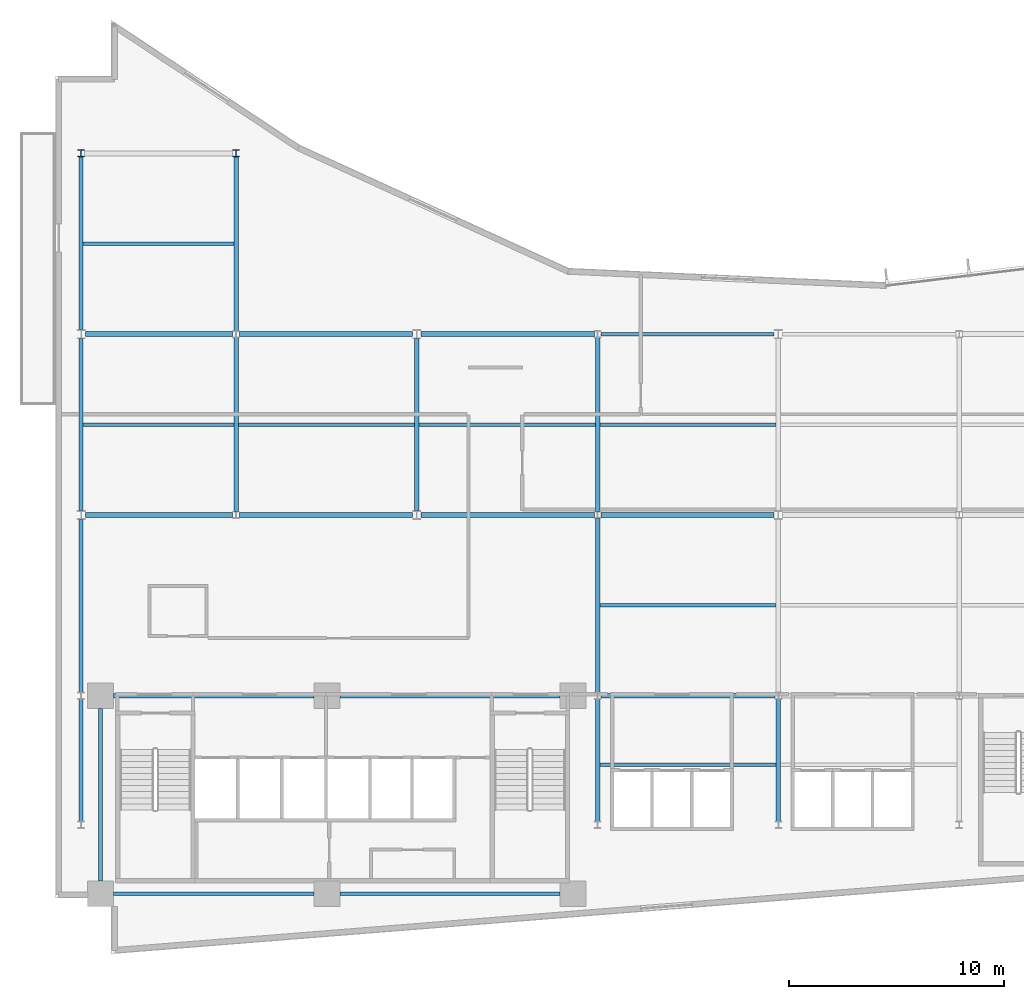
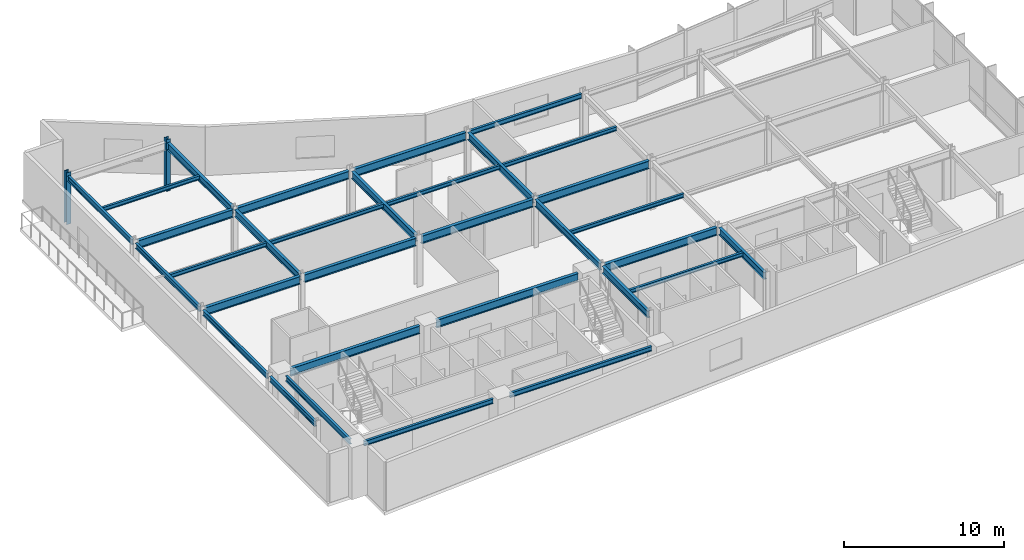
# One storey, part 3 of 17: 32 beams, 2 columns.
"""IFC4 building model written with IfcOpenShell, lengths in metres."""

from ifc_helpers import new_model, si_unit, direction, frame, origin, origin_2d, place, context, subcontext, project, spatial, i_section, extrude, material, material_profile, profile_set, type_object, element, save


model = new_model("IFC4")

# Units and contexts
model_context = context("Model", 3, precision=1e-05, world=origin(), true_north=direction((0.0, 1.0)))
body_context = subcontext(model_context, "Body", "Model", "MODEL_VIEW")
ifc_project = project(units=[si_unit("LENGTHUNIT", "METRE"), si_unit("AREAUNIT", "SQUARE_METRE"), si_unit("VOLUMEUNIT", "CUBIC_METRE"), si_unit("PLANEANGLEUNIT", "RADIAN"), si_unit("MASSUNIT", "GRAM", prefix="KILO")], contexts=[model_context])

# Site, building, storey
site_placement = place(None, origin())
site = spatial("IfcSite", under=ifc_project, at=site_placement, CompositionType="ELEMENT")
building_placement = place(site_placement, origin())
building = spatial("IfcBuilding", under=site, at=building_placement, Name="Varnakote Quay Hospital", CompositionType="ELEMENT")
storey_placement = place(building_placement, frame((0.0, 0.0, 103.35009765625)))
storey = spatial("IfcBuildingStorey", under=building, at=storey_placement, Name="L25", CompositionType="ELEMENT", Elevation=103.35009765625)

# Columns
ifc_material_1 = material(Name="Structural steel AS/NZS 3679.1 Grade 350 L0 (fy 340 MPa)", Category="steel")
ifc_material_profile_1 = material_profile(ifc_material_1, i_section(OverallWidth=0.30908203125, OverallDepth=0.321044921875, WebThickness=0.013916015625, FlangeThickness=0.021728515625, FilletRadius=0.0166015625, at=origin_2d()), Name="310UC137")
ifc_profile_set_1 = profile_set([ifc_material_profile_1], Name="Structural steel AS/NZS 3679.1 Grade 350 L0 (fy 340 MPa)")
column_type = type_object("IfcColumnType", Name="COL-STL-310UC137", PredefinedType="COLUMN", material=ifc_profile_set_1)
for number, where, z_axis, x_axis, name in (
    (1, (1.199951171875, 37.199951171875, 0.0), (0.0, 0.0, 1.0), (1.0, 0.0, 0.0), "L25 Structural Column C-1-37"),
    (2, (8.39990234375, 37.199951171875, 0.0), (0.0, 0.0, 1.0), (1.0, 0.0, 0.0), "L25 Structural Column C-8-37"),
):
    element("IfcColumn", number, at=place(storey_placement, frame(where, z_axis=z_axis, x_axis=x_axis)), inside=storey, type_object=column_type, Name=name, PredefinedType="COLUMN", context=body_context, shape_type="SweptSolid", body=[
        extrude(i_section(OverallWidth=0.30908203125, OverallDepth=0.321044921875, WebThickness=0.013916015625, FlangeThickness=0.021728515625, FilletRadius=0.0166015625, at=origin_2d()), origin(), (0.0, 0.0, 1.0), 3.949951171875),
    ])

# Beams
ifc_material_2 = material(Name="Structural steel AS/NZS 3679.1 Grade 350 L0 (fy 340 MPa)", Category="steel")
ifc_material_profile_2 = material_profile(ifc_material_2, i_section(OverallWidth=0.208984375, OverallDepth=0.532958984375, WebThickness=0.01025390625, FlangeThickness=0.015625, FilletRadius=0.013916015625, at=origin_2d()), Name="530UB92.4")
ifc_profile_set_2 = profile_set([ifc_material_profile_2], Name="Structural steel AS/NZS 3679.1 Grade 350 L0 (fy 340 MPa)")
beam_type_1 = type_object("IfcBeamType", Name="BM-STL-530UB92-4", PredefinedType="BEAM", material=ifc_profile_set_2)
beam_1_placement = place(storey_placement, frame((8.39990234375, 20.560546875, 3.443359375), z_axis=(0.0, 1.0, 0.0), x_axis=(-1.0, 0.0, 0.0)))
element("IfcBeam", 3, at=beam_1_placement, inside=storey, type_object=beam_type_1, Name="L25 Primary Tie Beam", PredefinedType="BEAM", context=body_context, shape_type="SweptSolid", body=[
    extrude(i_section(OverallWidth=0.208984375, OverallDepth=0.532958984375, WebThickness=0.01025390625, FlangeThickness=0.015625, FilletRadius=0.013916015625, at=origin_2d()), origin(), (0.0, 0.0, 1.0), 8.078857421875),
])
beam_2_placement = place(storey_placement, frame((8.39990234375, 28.96044921875, 3.443359375), z_axis=(0.0, 1.0, 0.0), x_axis=(-1.0, 0.0, 0.0)))
element("IfcBeam", 4, at=beam_2_placement, inside=storey, type_object=beam_type_1, Name="L25 Primary Tie Beam", PredefinedType="BEAM", context=body_context, shape_type="SweptSolid", body=[
    extrude(i_section(OverallWidth=0.208984375, OverallDepth=0.532958984375, WebThickness=0.01025390625, FlangeThickness=0.015625, FilletRadius=0.013916015625, at=origin_2d()), origin(), (0.0, 0.0, 1.0), 8.0791015625),
])
beam_3_placement = place(storey_placement, frame((16.800048828125, 20.610107421875, 3.443359375), z_axis=(0.0, 1.0, 0.0), x_axis=(-1.0, 0.0, 0.0)))
element("IfcBeam", 5, at=beam_3_placement, inside=storey, type_object=beam_type_1, Name="L25 Primary Tie Beam", PredefinedType="BEAM", context=body_context, shape_type="SweptSolid", body=[
    extrude(i_section(OverallWidth=0.208984375, OverallDepth=0.532958984375, WebThickness=0.01025390625, FlangeThickness=0.015625, FilletRadius=0.013916015625, at=origin_2d()), origin(), (0.0, 0.0, 1.0), 7.97998046875),
])
beam_4_placement = place(storey_placement, frame((25.199951171875, 6.160400390625, 3.443359375), z_axis=(0.0, 1.0, 0.0), x_axis=(-1.0, 0.0, 0.0)))
element("IfcBeam", 6, at=beam_4_placement, inside=storey, type_object=beam_type_1, Name="L25 Primary Tie Beam", PredefinedType="BEAM", context=body_context, shape_type="SweptSolid", body=[
    extrude(i_section(OverallWidth=0.208984375, OverallDepth=0.532958984375, WebThickness=0.01025390625, FlangeThickness=0.015625, FilletRadius=0.013916015625, at=origin_2d()), origin(), (0.0, 0.0, 1.0), 5.67919921875),
])
beam_5_placement = place(storey_placement, frame((25.199951171875, 12.160400390625, 3.443359375), z_axis=(0.0, 1.0, 0.0), x_axis=(-1.0, 0.0, 0.0)))
element("IfcBeam", 7, at=beam_5_placement, inside=storey, type_object=beam_type_1, Name="L25 Primary Tie Beam", PredefinedType="BEAM", context=body_context, shape_type="SweptSolid", body=[
    extrude(i_section(OverallWidth=0.208984375, OverallDepth=0.532958984375, WebThickness=0.01025390625, FlangeThickness=0.015625, FilletRadius=0.013916015625, at=origin_2d()), origin(), (0.0, 0.0, 1.0), 8.0791015625),
])
beam_6_placement = place(storey_placement, frame((25.199951171875, 20.560546875, 3.443359375), z_axis=(0.0, 1.0, 0.0), x_axis=(-1.0, 0.0, 0.0)))
element("IfcBeam", 8, at=beam_6_placement, inside=storey, type_object=beam_type_1, Name="L25 Primary Tie Beam", PredefinedType="BEAM", context=body_context, shape_type="SweptSolid", body=[
    extrude(i_section(OverallWidth=0.208984375, OverallDepth=0.532958984375, WebThickness=0.01025390625, FlangeThickness=0.015625, FilletRadius=0.013916015625, at=origin_2d()), origin(), (0.0, 0.0, 1.0), 8.078857421875),
])
beam_7_placement = place(storey_placement, frame((33.60009765625, 6.160400390625, 3.443359375), z_axis=(0.0, 1.0, 0.0), x_axis=(-1.0, 0.0, 0.0)))
element("IfcBeam", 9, at=beam_7_placement, inside=storey, type_object=beam_type_1, Name="L25 Primary Tie Beam", PredefinedType="BEAM", context=body_context, shape_type="SweptSolid", body=[
    extrude(i_section(OverallWidth=0.208984375, OverallDepth=0.532958984375, WebThickness=0.01025390625, FlangeThickness=0.015625, FilletRadius=0.013916015625, at=origin_2d()), origin(), (0.0, 0.0, 1.0), 5.67919921875),
])
ifc_material_3 = material(Name="Structural steel AS/NZS 3679.1 Grade 350 L0 (fy 340 MPa)", Category="steel")
ifc_material_profile_3 = material_profile(ifc_material_3, i_section(OverallWidth=0.22802734375, OverallDepth=0.60205078125, WebThickness=0.010498046875, FlangeThickness=0.014892578125, FilletRadius=0.013916015625, at=origin_2d()), Name="610UB101")
ifc_profile_set_3 = profile_set([ifc_material_profile_3], Name="Structural steel AS/NZS 3679.1 Grade 350 L0 (fy 340 MPa)")
beam_type_2 = type_object("IfcBeamType", Name="BM-STL-610UB101", PredefinedType="BEAM", material=ifc_profile_set_3)
beam_8_placement = place(storey_placement, frame((2.699951171875, 12.0, 3.408935546875), z_axis=(1.0, 0.0, 0.0), x_axis=(0.0, 1.0, 0.0)))
element("IfcBeam", 10, at=beam_8_placement, inside=storey, type_object=beam_type_2, Name="L25 Primary Floor Beam", PredefinedType="BEAM", context=body_context, shape_type="SweptSolid", body=[
    extrude(i_section(OverallWidth=0.22802734375, OverallDepth=0.60205078125, WebThickness=0.010498046875, FlangeThickness=0.014892578125, FilletRadius=0.013916015625, at=origin_2d()), origin(), (0.0, 0.0, 1.0), 9.320068359375),
])
beam_9_placement = place(storey_placement, frame((13.219970703125, 12.0, 3.408935546875), z_axis=(1.0, 0.0, 0.0), x_axis=(0.0, 1.0, 0.0)))
element("IfcBeam", 11, at=beam_9_placement, inside=storey, type_object=beam_type_2, Name="L25 Primary Floor Beam", PredefinedType="BEAM", context=body_context, shape_type="SweptSolid", body=[
    extrude(i_section(OverallWidth=0.22802734375, OverallDepth=0.60205078125, WebThickness=0.010498046875, FlangeThickness=0.014892578125, FilletRadius=0.013916015625, at=origin_2d()), origin(), (0.0, 0.0, 1.0), 10.22998046875),
])
beam_10_placement = place(storey_placement, frame((25.3544921875, 12.0, 3.408935546875), z_axis=(1.0, 0.0, 0.0), x_axis=(0.0, 1.0, 0.0)))
element("IfcBeam", 12, at=beam_10_placement, inside=storey, type_object=beam_type_2, Name="L25 Primary Floor Beam", PredefinedType="BEAM", context=body_context, shape_type="SweptSolid", body=[
    extrude(i_section(OverallWidth=0.22802734375, OverallDepth=0.60205078125, WebThickness=0.010498046875, FlangeThickness=0.014892578125, FilletRadius=0.013916015625, at=origin_2d()), origin(), (0.0, 0.0, 1.0), 8.091064453125),
])
beam_11_placement = place(storey_placement, frame((1.39990234375, 20.39990234375, 3.408935546875), z_axis=(1.0, 0.0, 0.0), x_axis=(0.0, 1.0, 0.0)))
element("IfcBeam", 13, at=beam_11_placement, inside=storey, type_object=beam_type_2, Name="L25 Primary Floor Beam", PredefinedType="BEAM", context=body_context, shape_type="SweptSolid", body=[
    extrude(i_section(OverallWidth=0.22802734375, OverallDepth=0.60205078125, WebThickness=0.010498046875, FlangeThickness=0.014892578125, FilletRadius=0.013916015625, at=origin_2d()), origin(), (0.0, 0.0, 1.0), 6.845703125),
])
beam_12_placement = place(storey_placement, frame((8.554443359375, 20.39990234375, 3.408935546875), z_axis=(1.0, 0.0, 0.0), x_axis=(0.0, 1.0, 0.0)))
element("IfcBeam", 14, at=beam_12_placement, inside=storey, type_object=beam_type_2, Name="L25 Primary Floor Beam", PredefinedType="BEAM", context=body_context, shape_type="SweptSolid", body=[
    extrude(i_section(OverallWidth=0.22802734375, OverallDepth=0.60205078125, WebThickness=0.010498046875, FlangeThickness=0.014892578125, FilletRadius=0.013916015625, at=origin_2d()), origin(), (0.0, 0.0, 1.0), 8.045654296875),
])
for number, where, z_axis, x_axis, name in (
    (15, (17.0, 20.39990234375, 3.408935546875), (1.0, 0.0, 0.0), (0.0, 1.0, 0.0), "L25 Primary Floor Beam"),
    (16, (25.3544921875, 20.39990234375, 3.408935546875), (1.0, 0.0, 0.0), (0.0, 1.0, 0.0), "L25 Primary Floor Beam"),
):
    element("IfcBeam", number, at=place(storey_placement, frame(where, z_axis=z_axis, x_axis=x_axis)), inside=storey, type_object=beam_type_2, Name=name, PredefinedType="BEAM", context=body_context, shape_type="SweptSolid", body=[
        extrude(i_section(OverallWidth=0.22802734375, OverallDepth=0.60205078125, WebThickness=0.010498046875, FlangeThickness=0.014892578125, FilletRadius=0.013916015625, at=origin_2d()), origin(), (0.0, 0.0, 1.0), 8.04541015625),
    ])
beam_13_placement = place(storey_placement, frame((1.39990234375, 28.800048828125, 3.408935546875), z_axis=(1.0, 0.0, 0.0), x_axis=(0.0, 1.0, 0.0)))
element("IfcBeam", 17, at=beam_13_placement, inside=storey, type_object=beam_type_2, Name="L25 Primary Floor Beam", PredefinedType="BEAM", context=body_context, shape_type="SweptSolid", body=[
    extrude(i_section(OverallWidth=0.22802734375, OverallDepth=0.60205078125, WebThickness=0.010498046875, FlangeThickness=0.014892578125, FilletRadius=0.013916015625, at=origin_2d()), origin(), (0.0, 0.0, 1.0), 6.845703125),
])
beam_14_placement = place(storey_placement, frame((8.554443359375, 28.800048828125, 3.408935546875), z_axis=(1.0, 0.0, 0.0), x_axis=(0.0, 1.0, 0.0)))
element("IfcBeam", 18, at=beam_14_placement, inside=storey, type_object=beam_type_2, Name="L25 Primary Floor Beam", PredefinedType="BEAM", context=body_context, shape_type="SweptSolid", body=[
    extrude(i_section(OverallWidth=0.22802734375, OverallDepth=0.60205078125, WebThickness=0.010498046875, FlangeThickness=0.014892578125, FilletRadius=0.013916015625, at=origin_2d()), origin(), (0.0, 0.0, 1.0), 8.045654296875),
])
beam_15_placement = place(storey_placement, frame((17.0, 28.800048828125, 3.408935546875), z_axis=(1.0, 0.0, 0.0), x_axis=(0.0, 1.0, 0.0)))
element("IfcBeam", 19, at=beam_15_placement, inside=storey, type_object=beam_type_2, Name="L25 Primary Floor Beam", PredefinedType="BEAM", context=body_context, shape_type="SweptSolid", body=[
    extrude(i_section(OverallWidth=0.22802734375, OverallDepth=0.60205078125, WebThickness=0.010498046875, FlangeThickness=0.014892578125, FilletRadius=0.013916015625, at=origin_2d()), origin(), (0.0, 0.0, 1.0), 8.04541015625),
])
ifc_material_4 = material(Name="Structural steel AS/NZS 3679.1 Grade 350 L0 (fy 340 MPa)", Category="steel")
ifc_material_profile_4 = material_profile(ifc_material_4, i_section(OverallWidth=0.1650390625, OverallDepth=0.303955078125, WebThickness=0.006103515625, FlangeThickness=0.01025390625, FilletRadius=0.011474609375, at=origin_2d()), Name="310UB40.4")
ifc_profile_set_4 = profile_set([ifc_material_profile_4], Name="Structural steel AS/NZS 3679.1 Grade 350 L0 (fy 340 MPa)")
beam_type_3 = type_object("IfcBeamType", Name="JST-STL-310UB40-4", PredefinedType="JOIST", material=ifc_profile_set_4)
for number, where, z_axis, x_axis, name in (
    (20, (25.304443359375, 8.800048828125, 3.557861328125), (1.0, 0.0, 0.0), (0.0, 1.0, 0.0), "L25 Composite Floor Joist"),
    (21, (25.304443359375, 16.199951171875, 3.557861328125), (1.0, 0.0, 0.0), (0.0, 1.0, 0.0), "L25 Composite Floor Joist"),
):
    element("IfcBeam", number, at=place(storey_placement, frame(where, z_axis=z_axis, x_axis=x_axis)), inside=storey, type_object=beam_type_3, Name=name, PredefinedType="JOIST", context=body_context, shape_type="SweptSolid", body=[
        extrude(i_section(OverallWidth=0.1650390625, OverallDepth=0.303955078125, WebThickness=0.006103515625, FlangeThickness=0.01025390625, FilletRadius=0.011474609375, at=origin_2d()), origin(), (0.0, 0.0, 1.0), 8.191162109375),
    ])
beam_16_placement = place(storey_placement, frame((1.2890625, 24.60009765625, 3.557861328125), z_axis=(1.0, 0.0, 0.0), x_axis=(0.0, 1.0, 0.0)))
element("IfcBeam", 22, at=beam_16_placement, inside=storey, type_object=beam_type_3, Name="L25 Composite Floor Joist", PredefinedType="JOIST", context=body_context, shape_type="SweptSolid", body=[
    extrude(i_section(OverallWidth=0.1650390625, OverallDepth=0.303955078125, WebThickness=0.006103515625, FlangeThickness=0.01025390625, FilletRadius=0.011474609375, at=origin_2d()), origin(), (0.0, 0.0, 1.0), 7.00634765625),
])
beam_17_placement = place(storey_placement, frame((8.50439453125, 24.60009765625, 3.557861328125), z_axis=(1.0, 0.0, 0.0), x_axis=(0.0, 1.0, 0.0)))
element("IfcBeam", 23, at=beam_17_placement, inside=storey, type_object=beam_type_3, Name="L25 Composite Floor Joist", PredefinedType="JOIST", context=body_context, shape_type="SweptSolid", body=[
    extrude(i_section(OverallWidth=0.1650390625, OverallDepth=0.303955078125, WebThickness=0.006103515625, FlangeThickness=0.01025390625, FilletRadius=0.011474609375, at=origin_2d()), origin(), (0.0, 0.0, 1.0), 8.191162109375),
])
beam_18_placement = place(storey_placement, frame((16.904541015625, 24.60009765625, 3.557861328125), z_axis=(1.0, 0.0, 0.0), x_axis=(0.0, 1.0, 0.0)))
element("IfcBeam", 24, at=beam_18_placement, inside=storey, type_object=beam_type_3, Name="L25 Composite Floor Joist", PredefinedType="JOIST", context=body_context, shape_type="SweptSolid", body=[
    extrude(i_section(OverallWidth=0.1650390625, OverallDepth=0.303955078125, WebThickness=0.006103515625, FlangeThickness=0.01025390625, FilletRadius=0.011474609375, at=origin_2d()), origin(), (0.0, 0.0, 1.0), 8.19091796875),
])
beam_19_placement = place(storey_placement, frame((25.304443359375, 24.60009765625, 3.557861328125), z_axis=(1.0, 0.0, 0.0), x_axis=(0.0, 1.0, 0.0)))
element("IfcBeam", 25, at=beam_19_placement, inside=storey, type_object=beam_type_3, Name="L25 Composite Floor Joist", PredefinedType="JOIST", context=body_context, shape_type="SweptSolid", body=[
    extrude(i_section(OverallWidth=0.1650390625, OverallDepth=0.303955078125, WebThickness=0.006103515625, FlangeThickness=0.01025390625, FilletRadius=0.011474609375, at=origin_2d()), origin(), (0.0, 0.0, 1.0), 8.191162109375),
])
beam_20_placement = place(storey_placement, frame((1.2890625, 33.0, 3.557861328125), z_axis=(1.0, 0.0, 0.0), x_axis=(0.0, 1.0, 0.0)))
element("IfcBeam", 26, at=beam_20_placement, inside=storey, type_object=beam_type_3, Name="L25 Composite Floor Joist", PredefinedType="JOIST", context=body_context, shape_type="SweptSolid", body=[
    extrude(i_section(OverallWidth=0.1650390625, OverallDepth=0.303955078125, WebThickness=0.006103515625, FlangeThickness=0.01025390625, FilletRadius=0.011474609375, at=origin_2d()), origin(), (0.0, 0.0, 1.0), 7.00634765625),
])
ifc_material_5 = material(Name="Structural steel AS/NZS 3679.1 Grade 350 L0 (fy 340 MPa)", Category="steel")
ifc_material_profile_5 = material_profile(ifc_material_5, i_section(OverallWidth=0.172119140625, OverallDepth=0.35888671875, WebThickness=0.008056640625, FlangeThickness=0.012939453125, FilletRadius=0.011474609375, at=origin_2d()), Name="360UB56.7")
ifc_profile_set_5 = profile_set([ifc_material_profile_5], Name="Structural steel AS/NZS 3679.1 Grade 350 L0 (fy 340 MPa)")
beam_type_4 = type_object("IfcBeamType", Name="SPN-STL-360UB56-7", PredefinedType="SPANDREL", material=ifc_profile_set_5)
beam_21_placement = place(storey_placement, frame((2.699951171875, 2.800048828125, 3.530517578125), z_axis=(1.0, 0.0, 0.0), x_axis=(0.0, 1.0, 0.0)))
element("IfcBeam", 27, at=beam_21_placement, inside=storey, type_object=beam_type_4, Name="L25 Perimeter Spandrel Beam", PredefinedType="SPANDREL", context=body_context, shape_type="SweptSolid", body=[
    extrude(i_section(OverallWidth=0.172119140625, OverallDepth=0.35888671875, WebThickness=0.008056640625, FlangeThickness=0.012939453125, FilletRadius=0.011474609375, at=origin_2d()), origin(), (0.0, 0.0, 1.0), 9.320068359375),
])
beam_22_placement = place(storey_placement, frame((13.219970703125, 2.800048828125, 3.530517578125), z_axis=(1.0, 0.0, 0.0), x_axis=(0.0, 1.0, 0.0)))
element("IfcBeam", 28, at=beam_22_placement, inside=storey, type_object=beam_type_4, Name="L25 Perimeter Spandrel Beam", PredefinedType="SPANDREL", context=body_context, shape_type="SweptSolid", body=[
    extrude(i_section(OverallWidth=0.172119140625, OverallDepth=0.35888671875, WebThickness=0.008056640625, FlangeThickness=0.012939453125, FilletRadius=0.011474609375, at=origin_2d()), origin(), (0.0, 0.0, 1.0), 10.22998046875),
])
beam_23_placement = place(storey_placement, frame((25.3544921875, 28.800048828125, 3.530517578125), z_axis=(1.0, 0.0, 0.0), x_axis=(0.0, 1.0, 0.0)))
element("IfcBeam", 29, at=beam_23_placement, inside=storey, type_object=beam_type_4, Name="L25 Perimeter Spandrel Beam", PredefinedType="SPANDREL", context=body_context, shape_type="SweptSolid", body=[
    extrude(i_section(OverallWidth=0.172119140625, OverallDepth=0.35888671875, WebThickness=0.008056640625, FlangeThickness=0.012939453125, FilletRadius=0.011474609375, at=origin_2d()), origin(), (0.0, 0.0, 1.0), 8.04541015625),
])
ifc_material_6 = material(Name="Structural steel AS/NZS 3679.1 Grade 350 L0 (fy 340 MPa)", Category="steel")
ifc_material_profile_6 = material_profile(ifc_material_6, i_section(OverallWidth=0.177978515625, OverallDepth=0.403076171875, WebThickness=0.007568359375, FlangeThickness=0.010986328125, FilletRadius=0.011474609375, at=origin_2d()), Name="410UB53.7")
ifc_profile_set_6 = profile_set([ifc_material_profile_6], Name="Structural steel AS/NZS 3679.1 Grade 350 L0 (fy 340 MPa)")
beam_type_5 = type_object("IfcBeamType", Name="SPN-STL-410UB53-7", PredefinedType="SPANDREL", material=ifc_profile_set_6)
beam_24_placement = place(storey_placement, frame((1.199951171875, 6.160400390625, 3.50830078125), z_axis=(0.0, 1.0, 0.0), x_axis=(-1.0, 0.0, 0.0)))
element("IfcBeam", 30, at=beam_24_placement, inside=storey, type_object=beam_type_5, Name="L25 Perimeter Spandrel Beam", PredefinedType="SPANDREL", context=body_context, shape_type="SweptSolid", body=[
    extrude(i_section(OverallWidth=0.177978515625, OverallDepth=0.403076171875, WebThickness=0.007568359375, FlangeThickness=0.010986328125, FilletRadius=0.011474609375, at=origin_2d()), origin(), (0.0, 0.0, 1.0), 5.67919921875),
])
beam_25_placement = place(storey_placement, frame((1.199951171875, 12.160400390625, 3.50830078125), z_axis=(0.0, 1.0, 0.0), x_axis=(-1.0, 0.0, 0.0)))
element("IfcBeam", 31, at=beam_25_placement, inside=storey, type_object=beam_type_5, Name="L25 Perimeter Spandrel Beam", PredefinedType="SPANDREL", context=body_context, shape_type="SweptSolid", body=[
    extrude(i_section(OverallWidth=0.177978515625, OverallDepth=0.403076171875, WebThickness=0.007568359375, FlangeThickness=0.010986328125, FilletRadius=0.011474609375, at=origin_2d()), origin(), (0.0, 0.0, 1.0), 8.029541015625),
])
beam_26_placement = place(storey_placement, frame((1.199951171875, 20.610107421875, 3.50830078125), z_axis=(0.0, 1.0, 0.0), x_axis=(-1.0, 0.0, 0.0)))
element("IfcBeam", 32, at=beam_26_placement, inside=storey, type_object=beam_type_5, Name="L25 Perimeter Spandrel Beam", PredefinedType="SPANDREL", context=body_context, shape_type="SweptSolid", body=[
    extrude(i_section(OverallWidth=0.177978515625, OverallDepth=0.403076171875, WebThickness=0.007568359375, FlangeThickness=0.010986328125, FilletRadius=0.011474609375, at=origin_2d()), origin(), (0.0, 0.0, 1.0), 7.97998046875),
])
beam_27_placement = place(storey_placement, frame((1.199951171875, 29.010009765625, 3.50830078125), z_axis=(0.0, 1.0, 0.0), x_axis=(-1.0, 0.0, 0.0)))
element("IfcBeam", 33, at=beam_27_placement, inside=storey, type_object=beam_type_5, Name="L25 Perimeter Spandrel Beam", PredefinedType="SPANDREL", context=body_context, shape_type="SweptSolid", body=[
    extrude(i_section(OverallWidth=0.177978515625, OverallDepth=0.403076171875, WebThickness=0.007568359375, FlangeThickness=0.010986328125, FilletRadius=0.011474609375, at=origin_2d()), origin(), (0.0, 0.0, 1.0), 8.029541015625),
])
beam_28_placement = place(storey_placement, frame((2.10009765625, 3.39990234375, 3.50830078125), z_axis=(0.0, 1.0, 0.0), x_axis=(-1.0, 0.0, 0.0)))
element("IfcBeam", 34, at=beam_28_placement, inside=storey, type_object=beam_type_5, Name="L25 Perimeter Spandrel Beam", PredefinedType="SPANDREL", context=body_context, shape_type="SweptSolid", body=[
    extrude(i_section(OverallWidth=0.177978515625, OverallDepth=0.403076171875, WebThickness=0.007568359375, FlangeThickness=0.010986328125, FilletRadius=0.011474609375, at=origin_2d()), origin(), (0.0, 0.0, 1.0), 8.0),
])

save(model, "model.ifc")
